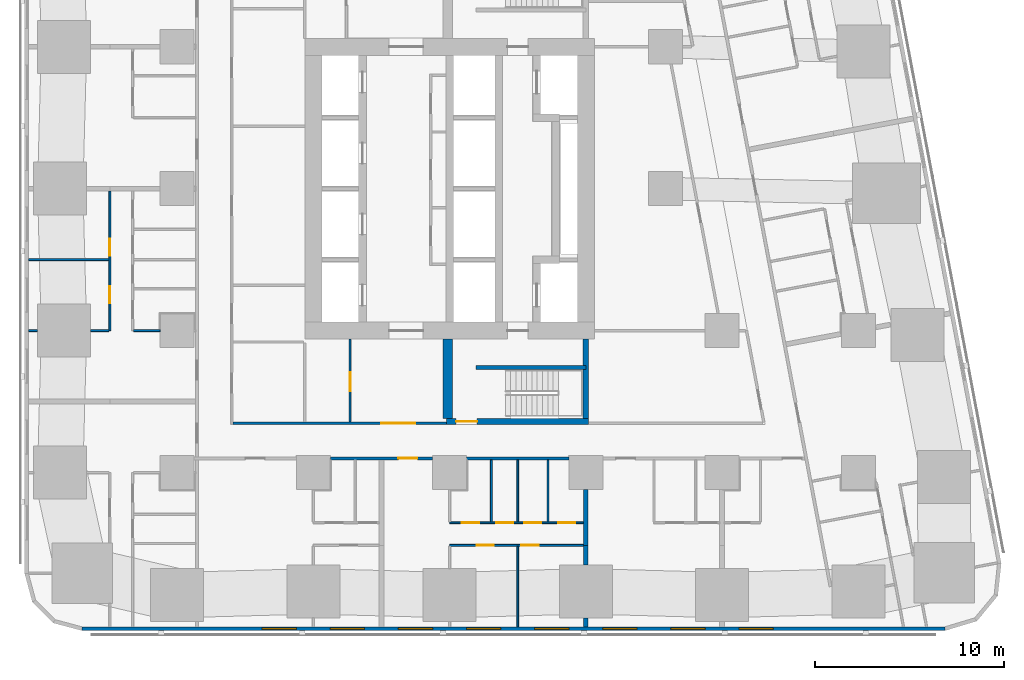
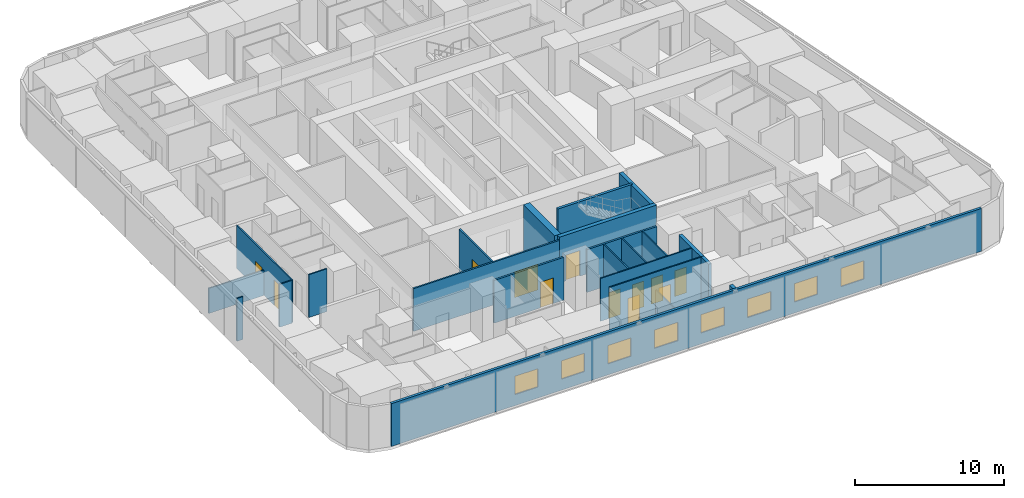
# One storey, part 3 of 16: 23 walls, 12 doors, 8 windows, 20 openings.
"""IFC4 building model written with IfcOpenShell, lengths in metres."""

from ifc_helpers import new_model, si_unit, direction, frame, frame_2d, origin, place, context, subcontext, project, spatial, rectangle, extrude, material, layer, layer_set, type_object, element, fill, save


model = new_model("IFC4")

# Units and contexts
model_context = context("Model", 3, precision=1e-05, world=origin(), true_north=direction((0.0, 1.0)))
body_context = subcontext(model_context, "Body", "Model", "MODEL_VIEW")
ifc_project = project(units=[si_unit("LENGTHUNIT", "METRE"), si_unit("AREAUNIT", "SQUARE_METRE"), si_unit("VOLUMEUNIT", "CUBIC_METRE"), si_unit("PLANEANGLEUNIT", "RADIAN"), si_unit("MASSUNIT", "GRAM", prefix="KILO")], contexts=[model_context])

# Site, building, storey
site_placement = place(None, origin())
site = spatial("IfcSite", under=ifc_project, at=site_placement, CompositionType="ELEMENT")
building_placement = place(site_placement, origin())
building = spatial("IfcBuilding", under=site, at=building_placement, Name="Sheger Commons Tower", CompositionType="ELEMENT")
storey_placement = place(building_placement, frame((0.0, 0.0, 61.25)))
storey = spatial("IfcBuildingStorey", under=building, at=storey_placement, Name="L15", CompositionType="ELEMENT", Elevation=61.25)

# Wall
ifc_material_1 = material(Name="Hollow concrete block masonry, skimmed both sides", Category="masonry")
ifc_layer_1 = layer(ifc_material_1, 0.14990234375)
ifc_layer_set_1 = layer_set([ifc_layer_1], Name="CORRIDOR WALL 150")
wall_type_1 = type_object("IfcWallType", Name="CORRIDOR WALL 150", PredefinedType="SOLIDWALL", material=ifc_layer_set_1)
wall_1_placement = place(storey_placement, frame((27.89892578125, 8.25, 0.0), z_axis=(0.0, 0.0, 1.0), x_axis=(-1.0, 0.0, 0.0)))
element("IfcWall", 1, at=wall_1_placement, inside=storey, type_object=wall_type_1, Name="Corridor wall L15", PredefinedType="SOLIDWALL", context=body_context, shape_type="SweptSolid", body=[
    extrude(rectangle(XDim=5.39794921875, YDim=0.14990234375, at=frame_2d((2.698974609375, 0.0))), origin(), (0.0, 0.0, 1.0), 3.5),
])

# Wall, opening, door
wall_2_placement = place(storey_placement, frame((20.698974609375, 8.25, 0.0), z_axis=(0.0, 0.0, 1.0), x_axis=(-1.0, 0.0, 0.0)))
wall_2 = element("IfcWall", 2, at=wall_2_placement, inside=storey, type_object=wall_type_1, Name="Corridor wall L15", PredefinedType="SOLIDWALL", context=body_context, shape_type="SweptSolid", body=[
    extrude(rectangle(XDim=5.39794921875, YDim=0.14990234375, at=frame_2d((2.698974609375, 0.0))), origin(), (0.0, 0.0, 1.0), 3.5),
])
opening_1_placement = place(wall_2_placement, frame((0.799072265625, 0.0, 0.0)))
opening_1 = element("IfcOpeningElement", 3, at=opening_1_placement, cuts=wall_2, Name="Opening D1", PredefinedType="OPENING", context=body_context, shape_type="SweptSolid", body=[
    extrude(rectangle(XDim=1.0, YDim=2.10009765625, at=frame_2d((0.5, 1.050048828125))), frame((0.0, 0.0849609375, 0.0), z_axis=(0.0, -1.0, 0.0), x_axis=(1.0, 0.0, 0.0)), (0.0, 0.0, 1.0), 0.169921875),
])
ifc_material_2 = material(Name="Steel door set, fire rated", Category="steel")
door_type_1 = type_object("IfcDoorType", Name="FLAT ENTRANCE DOOR 1000x2100", OperationType="NOTDEFINED", PredefinedType="DOOR", material=ifc_material_2)
door_1_placement = place(opening_1_placement, origin())
door_1 = element("IfcDoor", 4, at=door_1_placement, inside=storey, type_object=door_type_1, Name="Flat entrance door", OperationType="SINGLE_SWING_LEFT", OverallHeight=2.10009765625, OverallWidth=1.0, PredefinedType="DOOR", context=body_context, shape_type="SweptSolid", body=[
    extrude(rectangle(XDim=1.0, YDim=2.10009765625, at=frame_2d((0.5, 1.050048828125))), frame((0.0, 0.02490234375, 0.0), z_axis=(0.0, -1.0, 0.0), x_axis=(1.0, 0.0, 0.0)), (0.0, 0.0, 1.0), 0.050048828125),
])
fill(opening_1, door_1)

# Walls
ifc_material_3 = material(Name="Dense concrete block masonry, plastered both sides (separating wall between flats)", Category="masonry")
ifc_layer_2 = layer(ifc_material_3, 0.25)
ifc_layer_set_2 = layer_set([ifc_layer_2], Name="DEMISING WALL 250")
wall_type_2 = type_object("IfcWallType", Name="DEMISING WALL 250", PredefinedType="SOLIDWALL", material=ifc_layer_set_2)
wall_3_placement = place(storey_placement, frame((28.800048828125, -0.64990234375, 0.0), z_axis=(0.0, 0.0, 1.0), x_axis=(0.0, 1.0, 0.0)))
element("IfcWall", 5, at=wall_3_placement, inside=storey, type_object=wall_type_2, Name="Demising wall L15", PredefinedType="SOLIDWALL", context=body_context, shape_type="SweptSolid", body=[
    extrude(rectangle(XDim=0.473876953125, YDim=0.25, at=frame_2d((0.23681640625, 0.0))), origin(), (0.0, 0.0, 1.0), 3.5),
])
wall_4_placement = place(storey_placement, frame((28.800048828125, 2.6259765625, 0.0), z_axis=(0.0, 0.0, 1.0), x_axis=(0.0, 1.0, 0.0)))
element("IfcWall", 6, at=wall_4_placement, inside=storey, type_object=wall_type_2, Name="Demising wall L15", PredefinedType="SOLIDWALL", context=body_context, shape_type="SweptSolid", body=[
    extrude(rectangle(XDim=1.02392578125, YDim=0.25, at=frame_2d((0.511962890625, 0.0))), origin(), (0.0, 0.0, 1.0), 3.5),
])
wall_5_placement = place(storey_placement, frame((28.800048828125, 3.64990234375, 0.0), z_axis=(0.0, 0.0, 1.0), x_axis=(0.0, 1.0, 0.0)))
element("IfcWall", 7, at=wall_5_placement, inside=storey, type_object=wall_type_2, Name="Demising wall L15", PredefinedType="SOLIDWALL", context=body_context, shape_type="SweptSolid", body=[
    extrude(rectangle(XDim=2.94921875, YDim=0.25, at=frame_2d((1.474609375, 0.0))), origin(), (0.0, 0.0, 1.0), 3.5),
])

# Wall, openings, windows
ifc_material_4 = material(Name="Rendered concrete block masonry, dark grey", Category="masonry")
ifc_layer_3 = layer(ifc_material_4, 0.199951171875)
ifc_layer_set_3 = layer_set([ifc_layer_3], Name="FACADE WALL 200")
wall_type_3 = type_object("IfcWallType", Name="FACADE WALL 200", PredefinedType="SOLIDWALL", material=ifc_layer_set_3)
wall_6_placement = place(storey_placement, frame((2.1630859375, -0.75, 0.0), z_axis=(0.0, 0.0, 1.0), x_axis=(1.0, 0.0, 0.0)))
wall_6 = element("IfcWall", 8, at=wall_6_placement, inside=storey, type_object=wall_type_3, Name="Facade wall L15", PredefinedType="SOLIDWALL", context=body_context, shape_type="SweptSolid", body=[
    extrude(rectangle(XDim=45.6279296875, YDim=0.199951171875, at=frame_2d((22.81396484375, 0.0))), origin(), (0.0, 0.0, 1.0), 3.5),
])
opening_2_placement = place(wall_6_placement, frame((9.537109375, 0.0, 0.89990234375)))
opening_2 = element("IfcOpeningElement", 9, at=opening_2_placement, cuts=wall_6, Name="Opening W2", PredefinedType="OPENING", context=body_context, shape_type="SweptSolid", body=[
    extrude(rectangle(XDim=1.800048828125, YDim=1.5, at=frame_2d((0.89990234375, 0.75))), frame((0.0, 0.10986328125, 0.0), z_axis=(0.0, -1.0, 0.0), x_axis=(1.0, 0.0, 0.0)), (0.0, 0.0, 1.0), 0.219970703125),
])
opening_3_placement = place(wall_6_placement, frame((13.136962890625, 0.0, 0.89990234375)))
opening_3 = element("IfcOpeningElement", 10, at=opening_3_placement, cuts=wall_6, Name="Opening W2", PredefinedType="OPENING", context=body_context, shape_type="SweptSolid", body=[
    extrude(rectangle(XDim=1.800048828125, YDim=1.5, at=frame_2d((0.89990234375, 0.75))), frame((0.0, 0.10986328125, 0.0), z_axis=(0.0, -1.0, 0.0), x_axis=(1.0, 0.0, 0.0)), (0.0, 0.0, 1.0), 0.219970703125),
])
opening_4_placement = place(wall_6_placement, frame((16.737060546875, 0.0, 0.89990234375)))
opening_4 = element("IfcOpeningElement", 11, at=opening_4_placement, cuts=wall_6, Name="Opening W2", PredefinedType="OPENING", context=body_context, shape_type="SweptSolid", body=[
    extrude(rectangle(XDim=1.800048828125, YDim=1.5, at=frame_2d((0.89990234375, 0.75))), frame((0.0, 0.10986328125, 0.0), z_axis=(0.0, -1.0, 0.0), x_axis=(1.0, 0.0, 0.0)), (0.0, 0.0, 1.0), 0.219970703125),
])
opening_5_placement = place(wall_6_placement, frame((20.3369140625, 0.0, 0.89990234375)))
opening_5 = element("IfcOpeningElement", 12, at=opening_5_placement, cuts=wall_6, Name="Opening W2", PredefinedType="OPENING", context=body_context, shape_type="SweptSolid", body=[
    extrude(rectangle(XDim=1.800048828125, YDim=1.5, at=frame_2d((0.89990234375, 0.75))), frame((0.0, 0.10986328125, 0.0), z_axis=(0.0, -1.0, 0.0), x_axis=(1.0, 0.0, 0.0)), (0.0, 0.0, 1.0), 0.219970703125),
])
opening_6_placement = place(wall_6_placement, frame((23.93701171875, 0.0, 0.89990234375)))
opening_6 = element("IfcOpeningElement", 13, at=opening_6_placement, cuts=wall_6, Name="Opening W2", PredefinedType="OPENING", context=body_context, shape_type="SweptSolid", body=[
    extrude(rectangle(XDim=1.800048828125, YDim=1.5, at=frame_2d((0.89990234375, 0.75))), frame((0.0, 0.10986328125, 0.0), z_axis=(0.0, -1.0, 0.0), x_axis=(1.0, 0.0, 0.0)), (0.0, 0.0, 1.0), 0.219970703125),
])
opening_7_placement = place(wall_6_placement, frame((27.537109375, 0.0, 0.89990234375)))
opening_7 = element("IfcOpeningElement", 14, at=opening_7_placement, cuts=wall_6, Name="Opening W2", PredefinedType="OPENING", context=body_context, shape_type="SweptSolid", body=[
    extrude(rectangle(XDim=1.800048828125, YDim=1.5, at=frame_2d((0.89990234375, 0.75))), frame((0.0, 0.10986328125, 0.0), z_axis=(0.0, -1.0, 0.0), x_axis=(1.0, 0.0, 0.0)), (0.0, 0.0, 1.0), 0.219970703125),
])
opening_8_placement = place(wall_6_placement, frame((31.136962890625, 0.0, 0.89990234375)))
opening_8 = element("IfcOpeningElement", 15, at=opening_8_placement, cuts=wall_6, Name="Opening W2", PredefinedType="OPENING", context=body_context, shape_type="SweptSolid", body=[
    extrude(rectangle(XDim=1.800048828125, YDim=1.5, at=frame_2d((0.89990234375, 0.75))), frame((0.0, 0.10986328125, 0.0), z_axis=(0.0, -1.0, 0.0), x_axis=(1.0, 0.0, 0.0)), (0.0, 0.0, 1.0), 0.219970703125),
])
opening_9_placement = place(wall_6_placement, frame((34.737060546875, 0.0, 0.89990234375)))
opening_9 = element("IfcOpeningElement", 16, at=opening_9_placement, cuts=wall_6, Name="Opening W2", PredefinedType="OPENING", context=body_context, shape_type="SweptSolid", body=[
    extrude(rectangle(XDim=1.800048828125, YDim=1.5, at=frame_2d((0.89990234375, 0.75))), frame((0.0, 0.10986328125, 0.0), z_axis=(0.0, -1.0, 0.0), x_axis=(1.0, 0.0, 0.0)), (0.0, 0.0, 1.0), 0.219970703125),
])
ifc_material_5 = material(Name="Black aluminium frame, dark tinted double glazing", Category="aluminium")
window_type = type_object("IfcWindowType", Name="WINDOW W2 1800x1500", PartitioningType="SINGLE_PANEL", PredefinedType="WINDOW", material=ifc_material_5)
window_1_placement = place(opening_2_placement, origin())
window_1 = element("IfcWindow", 17, at=window_1_placement, inside=storey, type_object=window_type, Name="Window W2 1800X1500", OverallHeight=1.5, OverallWidth=1.800048828125, PartitioningType="SINGLE_PANEL", PredefinedType="WINDOW", context=body_context, shape_type="SweptSolid", body=[
    extrude(rectangle(XDim=1.800048828125, YDim=1.5, at=frame_2d((0.89990234375, 0.75))), frame((0.0, 0.030029296875, 0.0), z_axis=(0.0, -1.0, 0.0), x_axis=(1.0, 0.0, 0.0)), (0.0, 0.0, 1.0), 0.06005859375),
])
fill(opening_2, window_1)
window_2_placement = place(opening_3_placement, origin())
window_2 = element("IfcWindow", 18, at=window_2_placement, inside=storey, type_object=window_type, Name="Window W2 1800X1500", OverallHeight=1.5, OverallWidth=1.800048828125, PartitioningType="SINGLE_PANEL", PredefinedType="WINDOW", context=body_context, shape_type="SweptSolid", body=[
    extrude(rectangle(XDim=1.800048828125, YDim=1.5, at=frame_2d((0.89990234375, 0.75))), frame((0.0, 0.030029296875, 0.0), z_axis=(0.0, -1.0, 0.0), x_axis=(1.0, 0.0, 0.0)), (0.0, 0.0, 1.0), 0.06005859375),
])
fill(opening_3, window_2)
window_3_placement = place(opening_4_placement, origin())
window_3 = element("IfcWindow", 19, at=window_3_placement, inside=storey, type_object=window_type, Name="Window W2 1800X1500", OverallHeight=1.5, OverallWidth=1.800048828125, PartitioningType="SINGLE_PANEL", PredefinedType="WINDOW", context=body_context, shape_type="SweptSolid", body=[
    extrude(rectangle(XDim=1.800048828125, YDim=1.5, at=frame_2d((0.89990234375, 0.75))), frame((0.0, 0.030029296875, 0.0), z_axis=(0.0, -1.0, 0.0), x_axis=(1.0, 0.0, 0.0)), (0.0, 0.0, 1.0), 0.06005859375),
])
fill(opening_4, window_3)
window_4_placement = place(opening_5_placement, origin())
window_4 = element("IfcWindow", 20, at=window_4_placement, inside=storey, type_object=window_type, Name="Window W2 1800X1500", OverallHeight=1.5, OverallWidth=1.800048828125, PartitioningType="SINGLE_PANEL", PredefinedType="WINDOW", context=body_context, shape_type="SweptSolid", body=[
    extrude(rectangle(XDim=1.800048828125, YDim=1.5, at=frame_2d((0.89990234375, 0.75))), frame((0.0, 0.030029296875, 0.0), z_axis=(0.0, -1.0, 0.0), x_axis=(1.0, 0.0, 0.0)), (0.0, 0.0, 1.0), 0.06005859375),
])
fill(opening_5, window_4)
window_5_placement = place(opening_6_placement, origin())
window_5 = element("IfcWindow", 21, at=window_5_placement, inside=storey, type_object=window_type, Name="Window W2 1800X1500", OverallHeight=1.5, OverallWidth=1.800048828125, PartitioningType="SINGLE_PANEL", PredefinedType="WINDOW", context=body_context, shape_type="SweptSolid", body=[
    extrude(rectangle(XDim=1.800048828125, YDim=1.5, at=frame_2d((0.89990234375, 0.75))), frame((0.0, 0.030029296875, 0.0), z_axis=(0.0, -1.0, 0.0), x_axis=(1.0, 0.0, 0.0)), (0.0, 0.0, 1.0), 0.06005859375),
])
fill(opening_6, window_5)
window_6_placement = place(opening_7_placement, origin())
window_6 = element("IfcWindow", 22, at=window_6_placement, inside=storey, type_object=window_type, Name="Window W2 1800X1500", OverallHeight=1.5, OverallWidth=1.800048828125, PartitioningType="SINGLE_PANEL", PredefinedType="WINDOW", context=body_context, shape_type="SweptSolid", body=[
    extrude(rectangle(XDim=1.800048828125, YDim=1.5, at=frame_2d((0.89990234375, 0.75))), frame((0.0, 0.030029296875, 0.0), z_axis=(0.0, -1.0, 0.0), x_axis=(1.0, 0.0, 0.0)), (0.0, 0.0, 1.0), 0.06005859375),
])
fill(opening_7, window_6)
window_7_placement = place(opening_8_placement, origin())
window_7 = element("IfcWindow", 23, at=window_7_placement, inside=storey, type_object=window_type, Name="Window W2 1800X1500", OverallHeight=1.5, OverallWidth=1.800048828125, PartitioningType="SINGLE_PANEL", PredefinedType="WINDOW", context=body_context, shape_type="SweptSolid", body=[
    extrude(rectangle(XDim=1.800048828125, YDim=1.5, at=frame_2d((0.89990234375, 0.75))), frame((0.0, 0.030029296875, 0.0), z_axis=(0.0, -1.0, 0.0), x_axis=(1.0, 0.0, 0.0)), (0.0, 0.0, 1.0), 0.06005859375),
])
fill(opening_8, window_7)
window_8_placement = place(opening_9_placement, origin())
window_8 = element("IfcWindow", 24, at=window_8_placement, inside=storey, type_object=window_type, Name="Window W2 1800X1500", OverallHeight=1.5, OverallWidth=1.800048828125, PartitioningType="SINGLE_PANEL", PredefinedType="WINDOW", context=body_context, shape_type="SweptSolid", body=[
    extrude(rectangle(XDim=1.800048828125, YDim=1.5, at=frame_2d((0.89990234375, 0.75))), frame((0.0, 0.030029296875, 0.0), z_axis=(0.0, -1.0, 0.0), x_axis=(1.0, 0.0, 0.0)), (0.0, 0.0, 1.0), 0.06005859375),
])
fill(opening_9, window_8)

# Wall, openings, doors
ifc_material_6 = material(Name="Gypsum board on steel studs", Category="steel")
ifc_layer_4 = layer(ifc_material_6, 0.10009765625)
ifc_layer_set_4 = layer_set([ifc_layer_4], Name="PARTITION 100")
wall_type_4 = type_object("IfcWallType", Name="PARTITION 100", PredefinedType="PARTITIONING", material=ifc_layer_set_4)
wall_7_placement = place(storey_placement, frame((3.64990234375, 15.0, 0.0), z_axis=(0.0, 0.0, 1.0), x_axis=(0.0, 1.0, 0.0)))
wall_7 = element("IfcWall", 25, at=wall_7_placement, inside=storey, type_object=wall_type_4, Name="Partition L15", PredefinedType="PARTITIONING", context=body_context, shape_type="SweptSolid", body=[
    extrude(rectangle(XDim=7.375, YDim=0.10009765625, at=frame_2d((3.6875, 0.0))), origin(), (0.0, 0.0, 1.0), 3.5),
])
opening_10_placement = place(wall_7_placement, frame((1.449951171875, 0.0, 0.0)))
opening_10 = element("IfcOpeningElement", 26, at=opening_10_placement, cuts=wall_7, Name="Opening D2", PredefinedType="OPENING", context=body_context, shape_type="SweptSolid", body=[
    extrude(rectangle(XDim=0.89990234375, YDim=2.10009765625, at=frame_2d((0.449951171875, 1.050048828125))), frame((0.0, 0.06005859375, 0.0), z_axis=(0.0, -1.0, 0.0), x_axis=(1.0, 0.0, 0.0)), (0.0, 0.0, 1.0), 0.1201171875),
])
opening_11_placement = place(wall_7_placement, frame((3.949951171875, 0.0, 0.0)))
opening_11 = element("IfcOpeningElement", 27, at=opening_11_placement, cuts=wall_7, Name="Opening D2", PredefinedType="OPENING", context=body_context, shape_type="SweptSolid", body=[
    extrude(rectangle(XDim=0.89990234375, YDim=2.10009765625, at=frame_2d((0.449951171875, 1.050048828125))), frame((0.0, 0.06005859375, 0.0), z_axis=(0.0, -1.0, 0.0), x_axis=(1.0, 0.0, 0.0)), (0.0, 0.0, 1.0), 0.1201171875),
])
ifc_material_7 = material(Name="Timber door set", Category="wood")
door_type_2 = type_object("IfcDoorType", Name="INTERNAL DOOR 900x2100", OperationType="NOTDEFINED", PredefinedType="DOOR", material=ifc_material_7)
door_2_placement = place(opening_10_placement, origin())
door_2 = element("IfcDoor", 28, at=door_2_placement, inside=storey, type_object=door_type_2, Name="Main bedroom door", OperationType="SINGLE_SWING_LEFT", OverallHeight=2.10009765625, OverallWidth=0.89990234375, PredefinedType="DOOR", context=body_context, shape_type="SweptSolid", body=[
    extrude(rectangle(XDim=0.89990234375, YDim=2.10009765625, at=frame_2d((0.449951171875, 1.050048828125))), frame((0.0, 0.02490234375, 0.0), z_axis=(0.0, -1.0, 0.0), x_axis=(1.0, 0.0, 0.0)), (0.0, 0.0, 1.0), 0.050048828125),
])
fill(opening_10, door_2)
door_3_placement = place(opening_11_placement, origin())
door_3 = element("IfcDoor", 29, at=door_3_placement, inside=storey, type_object=door_type_2, Name="Bedroom 2 door", OperationType="SINGLE_SWING_LEFT", OverallHeight=2.10009765625, OverallWidth=0.89990234375, PredefinedType="DOOR", context=body_context, shape_type="SweptSolid", body=[
    extrude(rectangle(XDim=0.89990234375, YDim=2.10009765625, at=frame_2d((0.449951171875, 1.050048828125))), frame((0.0, 0.02490234375, 0.0), z_axis=(0.0, -1.0, 0.0), x_axis=(1.0, 0.0, 0.0)), (0.0, 0.0, 1.0), 0.050048828125),
])
fill(opening_11, door_3)

# Walls
wall_8_placement = place(storey_placement, frame((-0.64990234375, 15.0, 0.0), z_axis=(0.0, 0.0, 1.0), x_axis=(1.0, 0.0, 0.0)))
element("IfcWall", 30, at=wall_8_placement, inside=storey, type_object=wall_type_4, Name="Partition L15", PredefinedType="PARTITIONING", context=body_context, shape_type="SweptSolid", body=[
    extrude(rectangle(XDim=0.473876953125, YDim=0.10009765625, at=frame_2d((0.23681640625, 0.0))), origin(), (0.0, 0.0, 1.0), 3.5),
])
wall_9_placement = place(storey_placement, frame((2.6259765625, 15.0, 0.0), z_axis=(0.0, 0.0, 1.0), x_axis=(1.0, 0.0, 0.0)))
element("IfcWall", 31, at=wall_9_placement, inside=storey, type_object=wall_type_4, Name="Partition L15", PredefinedType="PARTITIONING", context=body_context, shape_type="SweptSolid", body=[
    extrude(rectangle(XDim=0.97412109375, YDim=0.10009765625, at=frame_2d((0.487060546875, 0.0))), origin(), (0.0, 0.0, 1.0), 3.5),
])
wall_10_placement = place(storey_placement, frame((-0.64990234375, 18.75, 0.0), z_axis=(0.0, 0.0, 1.0), x_axis=(1.0, 0.0, 0.0)))
element("IfcWall", 32, at=wall_10_placement, inside=storey, type_object=wall_type_4, Name="Partition L15", PredefinedType="PARTITIONING", context=body_context, shape_type="SweptSolid", body=[
    extrude(rectangle(XDim=4.25, YDim=0.10009765625, at=frame_2d((2.125, 0.0))), origin(), (0.0, 0.0, 1.0), 2.050048828125),
])
wall_11_placement = place(storey_placement, frame((4.89990234375, 15.0, 0.0), z_axis=(0.0, 0.0, 1.0), x_axis=(1.0, 0.0, 0.0)))
element("IfcWall", 33, at=wall_11_placement, inside=storey, type_object=wall_type_4, Name="Partition L15", PredefinedType="PARTITIONING", context=body_context, shape_type="SweptSolid", body=[
    extrude(rectangle(XDim=1.399169921875, YDim=0.10009765625, at=frame_2d((0.69970703125, 0.0))), origin(), (0.0, 0.0, 1.0), 3.5),
])

# Wall, openings, doors
wall_12_placement = place(storey_placement, frame((28.675048828125, 3.64990234375, 0.0), z_axis=(0.0, 0.0, 1.0), x_axis=(-1.0, 0.0, 0.0)))
wall_12 = element("IfcWall", 34, at=wall_12_placement, inside=storey, type_object=wall_type_4, Name="Partition L15", PredefinedType="PARTITIONING", context=body_context, shape_type="SweptSolid", body=[
    extrude(rectangle(XDim=7.074951171875, YDim=0.10009765625, at=frame_2d((3.53759765625, 0.0))), origin(), (0.0, 0.0, 1.0), 3.5),
])
opening_12_placement = place(wall_12_placement, frame((4.75, 0.0, 0.0)))
opening_12 = element("IfcOpeningElement", 35, at=opening_12_placement, cuts=wall_12, Name="Opening D2", PredefinedType="OPENING", context=body_context, shape_type="SweptSolid", body=[
    extrude(rectangle(XDim=0.89990234375, YDim=2.10009765625, at=frame_2d((0.449951171875, 1.050048828125))), frame((0.0, 0.06005859375, 0.0), z_axis=(0.0, -1.0, 0.0), x_axis=(1.0, 0.0, 0.0)), (0.0, 0.0, 1.0), 0.1201171875),
])
opening_13_placement = place(wall_12_placement, frame((2.375, 0.0, 0.0)))
opening_13 = element("IfcOpeningElement", 36, at=opening_13_placement, cuts=wall_12, Name="Opening D2", PredefinedType="OPENING", context=body_context, shape_type="SweptSolid", body=[
    extrude(rectangle(XDim=0.89990234375, YDim=2.10009765625, at=frame_2d((0.449951171875, 1.050048828125))), frame((0.0, 0.06005859375, 0.0), z_axis=(0.0, -1.0, 0.0), x_axis=(1.0, 0.0, 0.0)), (0.0, 0.0, 1.0), 0.1201171875),
])
door_4_placement = place(opening_12_placement, origin())
door_4 = element("IfcDoor", 37, at=door_4_placement, inside=storey, type_object=door_type_2, Name="Main bedroom door", OperationType="SINGLE_SWING_RIGHT", OverallHeight=2.10009765625, OverallWidth=0.89990234375, PredefinedType="DOOR", context=body_context, shape_type="SweptSolid", body=[
    extrude(rectangle(XDim=0.89990234375, YDim=2.10009765625, at=frame_2d((0.449951171875, 1.050048828125))), frame((0.0, 0.02490234375, 0.0), z_axis=(0.0, -1.0, 0.0), x_axis=(1.0, 0.0, 0.0)), (0.0, 0.0, 1.0), 0.050048828125),
])
fill(opening_12, door_4)
door_5_placement = place(opening_13_placement, origin())
door_5 = element("IfcDoor", 38, at=door_5_placement, inside=storey, type_object=door_type_2, Name="Bedroom 2 door", OperationType="SINGLE_SWING_RIGHT", OverallHeight=2.10009765625, OverallWidth=0.89990234375, PredefinedType="DOOR", context=body_context, shape_type="SweptSolid", body=[
    extrude(rectangle(XDim=0.89990234375, YDim=2.10009765625, at=frame_2d((0.449951171875, 1.050048828125))), frame((0.0, 0.02490234375, 0.0), z_axis=(0.0, -1.0, 0.0), x_axis=(1.0, 0.0, 0.0)), (0.0, 0.0, 1.0), 0.050048828125),
])
fill(opening_13, door_5)

wall_13_placement = place(storey_placement, frame((28.675048828125, 4.85009765625, 0.0), z_axis=(0.0, 0.0, 1.0), x_axis=(-1.0, 0.0, 0.0)))
wall_13 = element("IfcWall", 39, at=wall_13_placement, inside=storey, type_object=wall_type_4, Name="Partition L15", PredefinedType="PARTITIONING", context=body_context, shape_type="SweptSolid", body=[
    extrude(rectangle(XDim=7.074951171875, YDim=0.10009765625, at=frame_2d((3.53759765625, 0.0))), origin(), (0.0, 0.0, 1.0), 3.5),
])
opening_14_placement = place(wall_13_placement, frame((5.52001953125, 0.0, 0.0)))
opening_14 = element("IfcOpeningElement", 40, at=opening_14_placement, cuts=wall_13, Name="Opening D2", PredefinedType="OPENING", context=body_context, shape_type="SweptSolid", body=[
    extrude(rectangle(XDim=0.89990234375, YDim=2.10009765625, at=frame_2d((0.449951171875, 1.050048828125))), frame((0.0, 0.06005859375, 0.0), z_axis=(0.0, -1.0, 0.0), x_axis=(1.0, 0.0, 0.0)), (0.0, 0.0, 1.0), 0.1201171875),
])
opening_15_placement = place(wall_13_placement, frame((2.22509765625, 0.0, 0.0)))
opening_15 = element("IfcOpeningElement", 41, at=opening_15_placement, cuts=wall_13, Name="Opening D2", PredefinedType="OPENING", context=body_context, shape_type="SweptSolid", body=[
    extrude(rectangle(XDim=0.89990234375, YDim=2.10009765625, at=frame_2d((0.449951171875, 1.050048828125))), frame((0.0, 0.06005859375, 0.0), z_axis=(0.0, -1.0, 0.0), x_axis=(1.0, 0.0, 0.0)), (0.0, 0.0, 1.0), 0.1201171875),
])
opening_16_placement = place(wall_13_placement, frame((3.719970703125, 0.0, 0.0)))
opening_16 = element("IfcOpeningElement", 42, at=opening_16_placement, cuts=wall_13, Name="Opening D2", PredefinedType="OPENING", context=body_context, shape_type="SweptSolid", body=[
    extrude(rectangle(XDim=0.89990234375, YDim=2.10009765625, at=frame_2d((0.449951171875, 1.050048828125))), frame((0.0, 0.06005859375, 0.0), z_axis=(0.0, -1.0, 0.0), x_axis=(1.0, 0.0, 0.0)), (0.0, 0.0, 1.0), 0.1201171875),
])
opening_17_placement = place(wall_13_placement, frame((0.425048828125, 0.0, 0.0)))
opening_17 = element("IfcOpeningElement", 43, at=opening_17_placement, cuts=wall_13, Name="Opening D2", PredefinedType="OPENING", context=body_context, shape_type="SweptSolid", body=[
    extrude(rectangle(XDim=0.89990234375, YDim=2.10009765625, at=frame_2d((0.449951171875, 1.050048828125))), frame((0.0, 0.06005859375, 0.0), z_axis=(0.0, -1.0, 0.0), x_axis=(1.0, 0.0, 0.0)), (0.0, 0.0, 1.0), 0.1201171875),
])
door_6_placement = place(opening_14_placement, origin())
door_6 = element("IfcDoor", 44, at=door_6_placement, inside=storey, type_object=door_type_2, Name="Bathroom door", OperationType="SINGLE_SWING_LEFT", OverallHeight=2.10009765625, OverallWidth=0.89990234375, PredefinedType="DOOR", context=body_context, shape_type="SweptSolid", body=[
    extrude(rectangle(XDim=0.89990234375, YDim=2.10009765625, at=frame_2d((0.449951171875, 1.050048828125))), frame((0.0, 0.02490234375, 0.0), z_axis=(0.0, -1.0, 0.0), x_axis=(1.0, 0.0, 0.0)), (0.0, 0.0, 1.0), 0.050048828125),
])
fill(opening_14, door_6)
door_7_placement = place(opening_15_placement, origin())
door_7 = element("IfcDoor", 45, at=door_7_placement, inside=storey, type_object=door_type_2, Name="Shower room door", OperationType="SINGLE_SWING_LEFT", OverallHeight=2.10009765625, OverallWidth=0.89990234375, PredefinedType="DOOR", context=body_context, shape_type="SweptSolid", body=[
    extrude(rectangle(XDim=0.89990234375, YDim=2.10009765625, at=frame_2d((0.449951171875, 1.050048828125))), frame((0.0, 0.02490234375, 0.0), z_axis=(0.0, -1.0, 0.0), x_axis=(1.0, 0.0, 0.0)), (0.0, 0.0, 1.0), 0.050048828125),
])
fill(opening_15, door_7)
door_8_placement = place(opening_16_placement, origin())
door_8 = element("IfcDoor", 46, at=door_8_placement, inside=storey, type_object=door_type_2, Name="Store door", OperationType="SINGLE_SWING_LEFT", OverallHeight=2.10009765625, OverallWidth=0.89990234375, PredefinedType="DOOR", context=body_context, shape_type="SweptSolid", body=[
    extrude(rectangle(XDim=0.89990234375, YDim=2.10009765625, at=frame_2d((0.449951171875, 1.050048828125))), frame((0.0, 0.02490234375, 0.0), z_axis=(0.0, -1.0, 0.0), x_axis=(1.0, 0.0, 0.0)), (0.0, 0.0, 1.0), 0.050048828125),
])
fill(opening_16, door_8)
door_9_placement = place(opening_17_placement, origin())
door_9 = element("IfcDoor", 47, at=door_9_placement, inside=storey, type_object=door_type_2, Name="Store door", OperationType="SINGLE_SWING_RIGHT", OverallHeight=2.10009765625, OverallWidth=0.89990234375, PredefinedType="DOOR", context=body_context, shape_type="SweptSolid", body=[
    extrude(rectangle(XDim=0.89990234375, YDim=2.10009765625, at=frame_2d((0.449951171875, 1.050048828125))), frame((0.0, 0.02490234375, 0.0), z_axis=(0.0, -1.0, 0.0), x_axis=(1.0, 0.0, 0.0)), (0.0, 0.0, 1.0), 0.050048828125),
])
fill(opening_17, door_9)

# Walls
wall_14_placement = place(storey_placement, frame((25.199951171875, -0.64990234375, 0.0), z_axis=(0.0, 0.0, 1.0), x_axis=(0.0, 1.0, 0.0)))
element("IfcWall", 48, at=wall_14_placement, inside=storey, type_object=wall_type_4, Name="Partition L15", PredefinedType="PARTITIONING", context=body_context, shape_type="SweptSolid", body=[
    extrude(rectangle(XDim=4.25, YDim=0.10009765625, at=frame_2d((2.125, 0.0))), origin(), (0.0, 0.0, 1.0), 2.050048828125),
])
for number, where, z_axis, x_axis, name in (
    (49, (25.199951171875, 4.89990234375, 0.0), (0.0, 0.0, 1.0), (0.0, 1.0, 0.0), "Partition L15"),
    (50, (23.81005859375, 4.89990234375, 0.0), (0.0, 0.0, 1.0), (0.0, 1.0, 0.0), "Partition L15"),
    (51, (26.800048828125, 4.89990234375, 0.0), (0.0, 0.0, 1.0), (0.0, 1.0, 0.0), "Partition L15"),
):
    element("IfcWall", number, at=place(storey_placement, frame(where, z_axis=z_axis, x_axis=x_axis)), inside=storey, type_object=wall_type_4, Name=name, PredefinedType="PARTITIONING", context=body_context, shape_type="SweptSolid", body=[
        extrude(rectangle(XDim=3.275146484375, YDim=0.10009765625, at=frame_2d((1.6376953125, 0.0))), origin(), (0.0, 0.0, 1.0), 3.5),
    ])

# Wall, opening, door
ifc_material_8 = material(Name="Gypsum board on steel studs, two layers each side, fire rated", Category="steel")
ifc_layer_5 = layer(ifc_material_8, 0.125)
ifc_layer_set_5 = layer_set([ifc_layer_5], Name="SERVICE WALL 125")
wall_type_5 = type_object("IfcWallType", Name="SERVICE WALL 125", PredefinedType="PARTITIONING", material=ifc_layer_set_5)
wall_15_placement = place(storey_placement, frame((10.1630859375, 10.10009765625, 0.0), z_axis=(0.0, 0.0, 1.0), x_axis=(1.0, 0.0, 0.0)))
wall_15 = element("IfcWall", 52, at=wall_15_placement, inside=storey, type_object=wall_type_5, Name="Service room wall L15", PredefinedType="PARTITIONING", context=body_context, shape_type="SweptSolid", body=[
    extrude(rectangle(XDim=11.286865234375, YDim=0.125, at=frame_2d((5.6435546875, 0.0))), origin(), (0.0, 0.0, 1.0), 3.5),
])
opening_18_placement = place(wall_15_placement, frame((7.83203125, 0.0, 0.0)))
opening_18 = element("IfcOpeningElement", 53, at=opening_18_placement, cuts=wall_15, Name="Opening D6", PredefinedType="OPENING", context=body_context, shape_type="SweptSolid", body=[
    extrude(rectangle(XDim=1.800048828125, YDim=2.10009765625, at=frame_2d((0.89990234375, 1.050048828125))), frame((0.0, 0.072509765625, 0.0), z_axis=(0.0, -1.0, 0.0), x_axis=(1.0, 0.0, 0.0)), (0.0, 0.0, 1.0), 0.14501953125),
])
ifc_material_9 = material(Name="Steel door set, fire rated", Category="steel")
door_type_3 = type_object("IfcDoorType", Name="LOBBY DOUBLE DOOR 1800x2100", OperationType="DOUBLE_DOOR_SINGLE_SWING", PredefinedType="DOOR", material=ifc_material_9)
door_10_placement = place(opening_18_placement, origin())
door_10 = element("IfcDoor", 54, at=door_10_placement, inside=storey, type_object=door_type_3, Name="Lift lobby south door", OperationType="DOUBLE_DOOR_SINGLE_SWING", OverallHeight=2.10009765625, OverallWidth=1.800048828125, PredefinedType="DOOR", context=body_context, shape_type="SweptSolid", body=[
    extrude(rectangle(XDim=1.800048828125, YDim=2.10009765625, at=frame_2d((0.89990234375, 1.050048828125))), frame((0.0, 0.02490234375, 0.0), z_axis=(0.0, -1.0, 0.0), x_axis=(1.0, 0.0, 0.0)), (0.0, 0.0, 1.0), 0.050048828125),
])
fill(opening_18, door_10)

wall_16_placement = place(storey_placement, frame((16.340087890625, 10.1630859375, 0.0), z_axis=(0.0, 0.0, 1.0), x_axis=(0.0, 1.0, 0.0)))
wall_16 = element("IfcWall", 55, at=wall_16_placement, inside=storey, type_object=wall_type_5, Name="Service room wall L15", PredefinedType="PARTITIONING", context=body_context, shape_type="SweptSolid", body=[
    extrude(rectangle(XDim=4.386962890625, YDim=0.125, at=frame_2d((2.193359375, 0.0))), origin(), (0.0, 0.0, 1.0), 3.5),
])
opening_19_placement = place(wall_16_placement, frame((1.636962890625, 0.0, 0.0)))
opening_19 = element("IfcOpeningElement", 56, at=opening_19_placement, cuts=wall_16, Name="Opening D4", PredefinedType="OPENING", context=body_context, shape_type="SweptSolid", body=[
    extrude(rectangle(XDim=1.0, YDim=2.10009765625, at=frame_2d((0.5, 1.050048828125))), frame((0.0, 0.072509765625, 0.0), z_axis=(0.0, -1.0, 0.0), x_axis=(1.0, 0.0, 0.0)), (0.0, 0.0, 1.0), 0.14501953125),
])
ifc_material_10 = material(Name="Steel door set, fire rated", Category="steel")
door_type_4 = type_object("IfcDoorType", Name="SERVICE DOOR 1000x2100", OperationType="NOTDEFINED", PredefinedType="DOOR", material=ifc_material_10)
door_11_placement = place(opening_19_placement, origin())
door_11 = element("IfcDoor", 57, at=door_11_placement, inside=storey, type_object=door_type_4, Name="Electrical room door", OperationType="SINGLE_SWING_LEFT", OverallHeight=2.10009765625, OverallWidth=1.0, PredefinedType="DOOR", context=body_context, shape_type="SweptSolid", body=[
    extrude(rectangle(XDim=1.0, YDim=2.10009765625, at=frame_2d((0.5, 1.050048828125))), frame((0.0, 0.02490234375, 0.0), z_axis=(0.0, -1.0, 0.0), x_axis=(1.0, 0.0, 0.0)), (0.0, 0.0, 1.0), 0.050048828125),
])
fill(opening_19, door_11)

ifc_material_11 = material(Name="Concrete C50/60", Category="concrete")
ifc_layer_6 = layer(ifc_material_11, 0.300048828125)
ifc_layer_set_6 = layer_set([ifc_layer_6], Name="STAIR CORE WALL 300")
wall_type_6 = type_object("IfcWallType", Name="STAIR CORE WALL 300", PredefinedType="SHEAR", material=ifc_layer_set_6)
wall_17_placement = place(storey_placement, frame((21.449951171875, 10.199951171875, 0.0), z_axis=(0.0, 0.0, 1.0), x_axis=(1.0, 0.0, 0.0)))
wall_17 = element("IfcWall", 58, at=wall_17_placement, inside=storey, type_object=wall_type_6, Name="STW-L15-S1S", PredefinedType="SHEAR", context=body_context, shape_type="SweptSolid", body=[
    extrude(rectangle(XDim=7.5, YDim=0.300048828125, at=frame_2d((3.75, 0.0))), origin(), (0.0, 0.0, 1.0), 3.75),
])
opening_20_placement = place(wall_17_placement, frame((0.5, 0.0, 0.0)))
opening_20 = element("IfcOpeningElement", 59, at=opening_20_placement, cuts=wall_17, Name="Opening D5", PredefinedType="OPENING", context=body_context, shape_type="SweptSolid", body=[
    extrude(rectangle(XDim=1.10009765625, YDim=2.10009765625, at=frame_2d((0.550048828125, 1.050048828125))), frame((0.0, 0.159912109375, 0.0), z_axis=(0.0, -1.0, 0.0), x_axis=(1.0, 0.0, 0.0)), (0.0, 0.0, 1.0), 0.320068359375),
])
ifc_material_12 = material(Name="Steel door set, fire rated", Category="steel")
door_type_5 = type_object("IfcDoorType", Name="STAIR DOOR 1100x2100", OperationType="NOTDEFINED", PredefinedType="DOOR", material=ifc_material_12)
door_12_placement = place(opening_20_placement, origin())
door_12 = element("IfcDoor", 60, at=door_12_placement, inside=storey, type_object=door_type_5, Name="Stair S1 door", OperationType="SINGLE_SWING_LEFT", OverallHeight=2.10009765625, OverallWidth=1.10009765625, PredefinedType="DOOR", context=body_context, shape_type="SweptSolid", body=[
    extrude(rectangle(XDim=1.10009765625, YDim=2.10009765625, at=frame_2d((0.550048828125, 1.050048828125))), frame((0.0, 0.02490234375, 0.0), z_axis=(0.0, -1.0, 0.0), x_axis=(1.0, 0.0, 0.0)), (0.0, 0.0, 1.0), 0.050048828125),
])
fill(opening_20, door_12)

# Walls
wall_18_placement = place(storey_placement, frame((28.800048828125, 10.35009765625, 0.0), z_axis=(0.0, 0.0, 1.0), x_axis=(0.0, 1.0, 0.0)))
element("IfcWall", 61, at=wall_18_placement, inside=storey, type_object=wall_type_6, Name="STW-L15-S1E", PredefinedType="SHEAR", context=body_context, shape_type="SweptSolid", body=[
    extrude(rectangle(XDim=4.199951171875, YDim=0.300048828125, at=frame_2d((2.10009765625, 0.0))), origin(), (0.0, 0.0, 1.0), 3.75),
])
ifc_material_13 = material(Name="Concrete C50/60", Category="concrete")
ifc_layer_7 = layer(ifc_material_13, 0.5)
ifc_layer_set_7 = layer_set([ifc_layer_7], Name="STAIR CORE WALL 500")
wall_type_7 = type_object("IfcWallType", Name="STAIR CORE WALL 500", PredefinedType="SHEAR", material=ifc_layer_set_7)
wall_19_placement = place(storey_placement, frame((21.5, 10.35009765625, 0.0), z_axis=(0.0, 0.0, 1.0), x_axis=(0.0, 1.0, 0.0)))
element("IfcWall", 62, at=wall_19_placement, inside=storey, type_object=wall_type_7, Name="STW-L15-S1W", PredefinedType="SHEAR", context=body_context, shape_type="SweptSolid", body=[
    extrude(rectangle(XDim=4.199951171875, YDim=0.5, at=frame_2d((2.10009765625, 0.0))), origin(), (0.0, 0.0, 1.0), 3.75),
])
ifc_material_14 = material(Name="Concrete C50/60", Category="concrete")
ifc_layer_8 = layer(ifc_material_14, 0.199951171875)
ifc_layer_set_8 = layer_set([ifc_layer_8], Name="STAIR SPINE WALL 200")
wall_type_8 = type_object("IfcWallType", Name="STAIR SPINE WALL 200", PredefinedType="SHEAR", material=ifc_layer_set_8)
wall_20_placement = place(storey_placement, frame((23.0, 13.050048828125, 0.0), z_axis=(0.0, 0.0, 1.0), x_axis=(1.0, 0.0, 0.0)))
element("IfcWall", 63, at=wall_20_placement, inside=storey, type_object=wall_type_8, Name="Stair spine wall L15", PredefinedType="SHEAR", context=body_context, shape_type="SweptSolid", body=[
    extrude(rectangle(XDim=5.800048828125, YDim=0.199951171875, at=frame_2d((2.89990234375, 0.0))), origin(), (0.0, 0.0, 1.0), 3.75),
])

save(model, "model.ifc")
